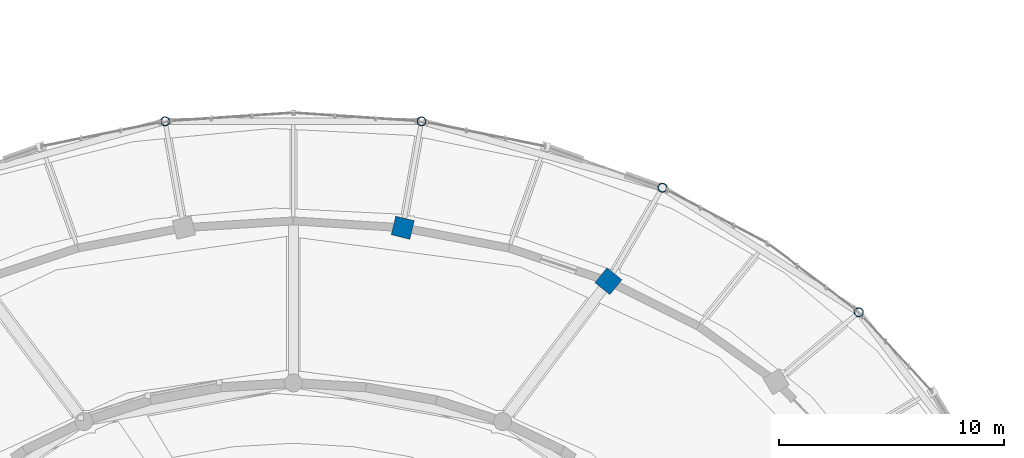
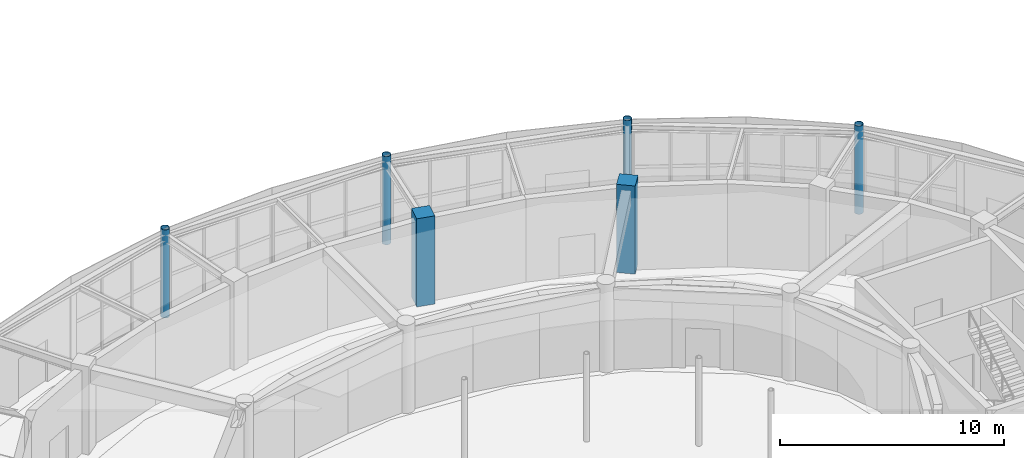
# One storey, part 14 of 108: 6 columns.
"""IFC4 building model written with IfcOpenShell, lengths in metres."""

from ifc_helpers import new_model, si_unit, direction, frame, origin, origin_2d, place, context, subcontext, project, spatial, rectangle, hollow_circle, extrude, material, material_profile, profile_set, type_object, element, save


model = new_model("IFC4")

# Units and contexts
model_context = context("Model", 3, precision=1e-05, world=origin(), true_north=direction((0.0, 1.0)))
body_context = subcontext(model_context, "Body", "Model", "MODEL_VIEW")
ifc_project = project(units=[si_unit("LENGTHUNIT", "METRE"), si_unit("AREAUNIT", "SQUARE_METRE"), si_unit("VOLUMEUNIT", "CUBIC_METRE"), si_unit("PLANEANGLEUNIT", "RADIAN"), si_unit("MASSUNIT", "GRAM", prefix="KILO")], contexts=[model_context])

# Site, building, storey
site_placement = place(None, origin())
site = spatial("IfcSite", under=ifc_project, at=site_placement, CompositionType="ELEMENT")
building_placement = place(site_placement, origin())
building = spatial("IfcBuilding", under=site, at=building_placement, Name="Tarnveldt Headland Concert Hall", CompositionType="ELEMENT")
storey_placement = place(building_placement, origin())
storey = spatial("IfcBuildingStorey", under=building, at=storey_placement, Name="L00", CompositionType="ELEMENT", Elevation=0.0)

# Columns
ifc_material_1 = material(Name="Concrete C40/50", Category="concrete")
ifc_material_profile_1 = material_profile(ifc_material_1, rectangle(XDim=0.85009765625, YDim=0.85009765625, at=origin_2d()), Name="RC 850x850", Category="concrete")
ifc_profile_set_1 = profile_set([ifc_material_profile_1], Name="Concrete C40/50")
column_type_1 = type_object("IfcColumnType", Name="CC-850", PredefinedType="COLUMN", material=ifc_profile_set_1)
for number, where, z_axis, x_axis, name in (
    (1, (97.5, 71.820556640625, 0.0), (0.0, 0.0, 1.0), (0.628641963719, 0.777694851116, 0.0), "Column V2DC04 L00"),
    (2, (88.362060546875, 74.1962890625, 0.0), (0.0, 0.0, 1.0), (0.239719743609, 0.970842131618, 0.0), "Column V2DC05 L00"),
):
    element("IfcColumn", number, at=place(storey_placement, frame(where, z_axis=z_axis, x_axis=x_axis)), inside=storey, type_object=column_type_1, Name=name, PredefinedType="COLUMN", context=body_context, shape_type="SweptSolid", body=[
        extrude(rectangle(XDim=0.85009765625, YDim=0.85009765625, at=origin_2d()), origin(), (0.0, 0.0, 1.0), 4.800048828125),
    ])
ifc_material_2 = material(Name="Steel S355", Category="steel")
ifc_material_profile_2 = material_profile(ifc_material_2, hollow_circle(Radius=0.203125, WallThickness=0.02490234375, at=origin_2d()), Name="CHS 406.4x25", Category="steel")
ifc_profile_set_2 = profile_set([ifc_material_profile_2], Name="Steel S355")
column_type_2 = type_object("IfcColumnType", Name="SC-CHS406", PredefinedType="COLUMN", material=ifc_profile_set_2)
for number, where, z_axis, x_axis, name in (
    (3, (108.626220703125, 70.441162109375, 0.0), (0.0, 0.0, 1.0), (0.84442143206, 0.535679423796, 0.0), "Column V1C03 L00"),
    (4, (99.89990234375, 75.977294921875, 0.0), (0.0, 0.0, 1.0), (0.606959801962, 0.79473253287, 0.0), "Column V1C04 L00"),
    (5, (89.19580078125, 78.923095703125, 0.0), (0.0, 0.0, 1.0), (0.227161248969, 0.973857159427, 0.0), "Column V1C05 L00"),
    (6, (77.80419921875, 78.923095703125, 0.0), (0.0, 0.0, 1.0), (-0.227161248969, 0.973857159427, 0.0), "Column V1C06 L00"),
):
    element("IfcColumn", number, at=place(storey_placement, frame(where, z_axis=z_axis, x_axis=x_axis)), inside=storey, type_object=column_type_2, Name=name, PredefinedType="COLUMN", context=body_context, shape_type="SweptSolid", body=[
        extrude(hollow_circle(Radius=0.203125, WallThickness=0.02490234375, at=origin_2d()), origin(), (0.0, 0.0, 1.0), 4.800048828125),
    ])

save(model, "model.ifc")
